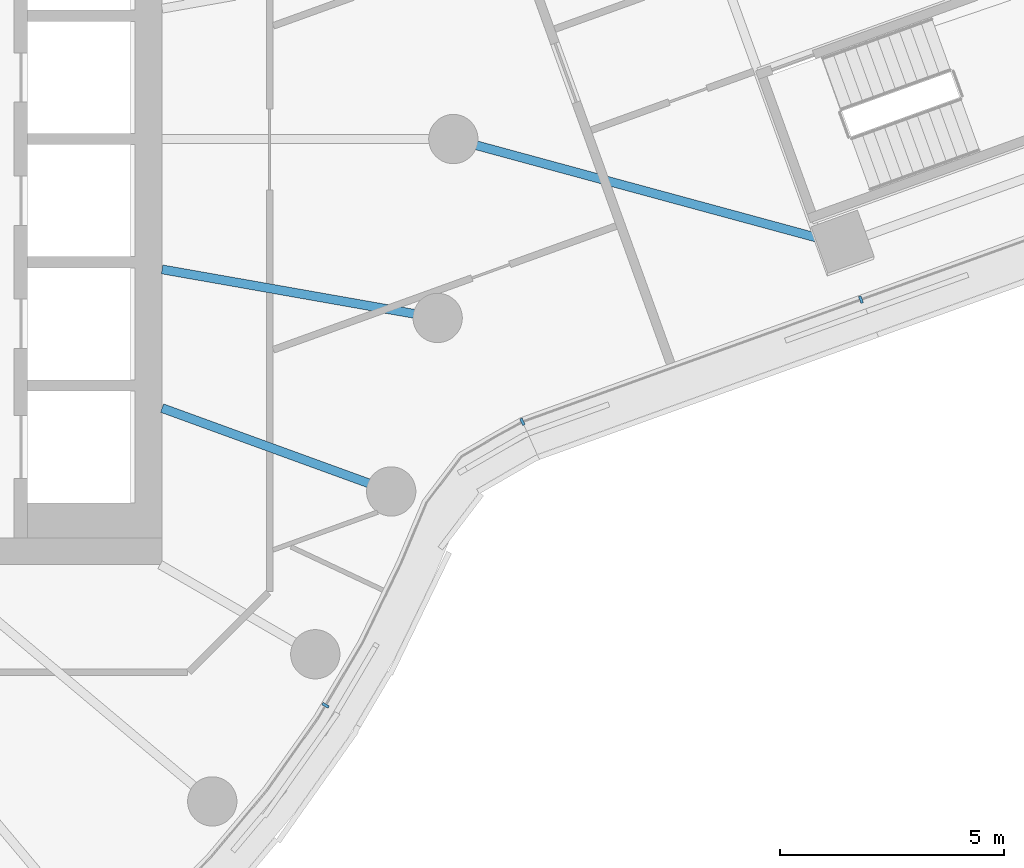
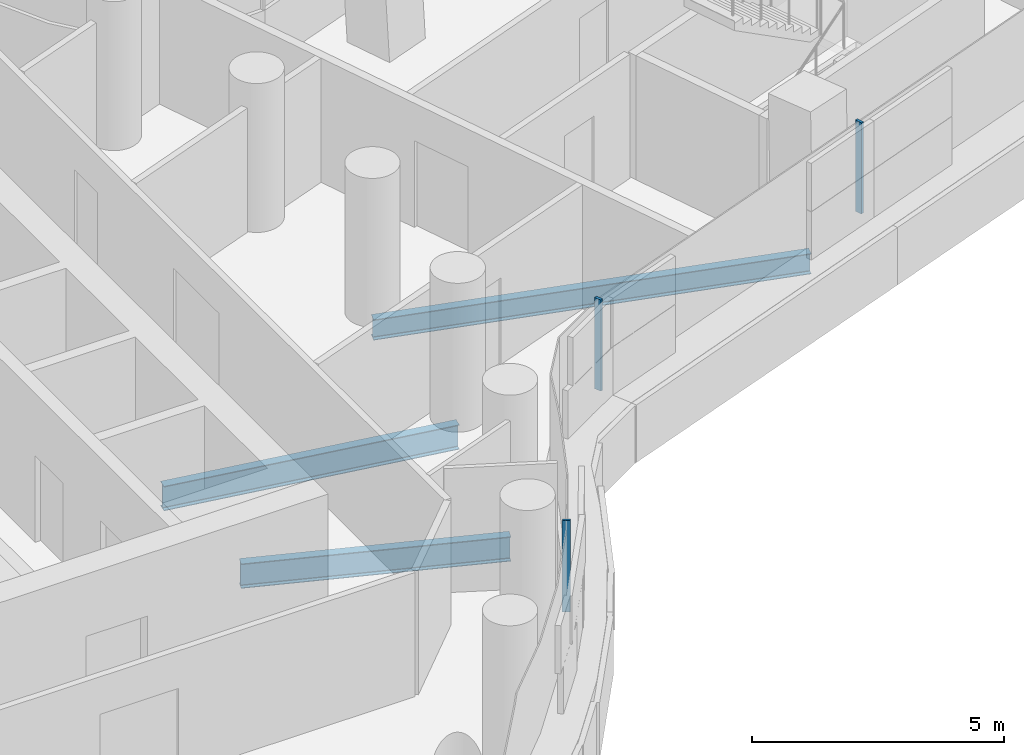
# One storey, part 9 of 30: 3 beams, 3 members, 2 elements without a shape of their own.
"""IFC4 building model written with IfcOpenShell, lengths in metres."""

from ifc_helpers import new_model, si_unit, direction, frame, origin, origin_2d, place, context, subcontext, project, spatial, rectangle, i_section, extrude, material, layer, layer_set, material_profile, profile_set, type_object, element, aggregate, save


model = new_model("IFC4")

# Units and contexts
model_context = context("Model", 3, precision=1e-05, world=origin(), true_north=direction((0.0, 1.0)))
body_context = subcontext(model_context, "Body", "Model", "MODEL_VIEW")
ifc_project = project(units=[si_unit("LENGTHUNIT", "METRE"), si_unit("AREAUNIT", "SQUARE_METRE"), si_unit("VOLUMEUNIT", "CUBIC_METRE"), si_unit("PLANEANGLEUNIT", "RADIAN"), si_unit("MASSUNIT", "GRAM", prefix="KILO")], contexts=[model_context])

# Site, building, storey
site_placement = place(None, origin())
site = spatial("IfcSite", under=ifc_project, at=site_placement, CompositionType="ELEMENT")
building_placement = place(site_placement, origin())
building = spatial("IfcBuilding", under=site, at=building_placement, Name="Tamarind Cross Interchange Tower", CompositionType="ELEMENT")
storey_placement = place(building_placement, frame((0.0, 0.0, 106.0)))
storey = spatial("IfcBuildingStorey", under=building, at=storey_placement, Name="L25", CompositionType="ELEMENT", Elevation=106.0)

# Beams
ifc_material_1 = material(Name="Steel Q355B", Category="steel")
ifc_material_profile_1 = material_profile(ifc_material_1, i_section(OverallWidth=0.198974609375, OverallDepth=0.49609375, WebThickness=0.009033203125, FlangeThickness=0.013916015625, FilletRadius=0.012939453125, at=origin_2d()), Name="HN 496x199x9x14")
ifc_profile_set_1 = profile_set([ifc_material_profile_1], Name="Steel Q355B")
beam_type_1 = type_object("IfcBeamType", Name="Composite beam HN 496x199x9x14 Q355B", PredefinedType="BEAM", material=ifc_profile_set_1)
beam_1_placement = place(storey_placement, frame((31.674560546875, -2.354736328125, -0.387939453125), z_axis=(-0.965075290651, 0.26197267677, 0.0), x_axis=(-0.26197267677, -0.965075290651, 0.0)))
element("IfcBeam", 1, at=beam_1_placement, inside=storey, type_object=beam_type_1, Name="Beam E-linkem", PredefinedType="BEAM", context=body_context, shape_type="SweptSolid", body=[
    extrude(i_section(OverallWidth=0.198974609375, OverallDepth=0.49609375, WebThickness=0.009033203125, FlangeThickness=0.013916015625, FilletRadius=0.012939453125, at=origin_2d()), origin(), (0.0, 0.0, 1.0), 8.988525390625),
])
ifc_material_profile_2 = material_profile(ifc_material_1, i_section(OverallWidth=0.198974609375, OverallDepth=0.595947265625, WebThickness=0.010009765625, FlangeThickness=0.014892578125, FilletRadius=0.012939453125, at=origin_2d()), Name="HN 596x199x10x15")
ifc_profile_set_2 = profile_set([ifc_material_profile_2], Name="Steel Q355B")
beam_type_2 = type_object("IfcBeamType", Name="Composite beam HN 596x199x10x15 Q355B", PredefinedType="BEAM", material=ifc_profile_set_2)
beam_2_placement = place(storey_placement, frame((21.613037109375, -7.866455078125, -0.43798828125), z_axis=(-0.939701685589, 0.341995236956, 0.0), x_axis=(-0.341995236956, -0.939701685589, 0.0)))
element("IfcBeam", 2, at=beam_2_placement, inside=storey, type_object=beam_type_2, Name="Beam HH34", PredefinedType="BEAM", context=body_context, shape_type="SweptSolid", body=[
    extrude(i_section(OverallWidth=0.198974609375, OverallDepth=0.595947265625, WebThickness=0.010009765625, FlangeThickness=0.014892578125, FilletRadius=0.012939453125, at=origin_2d()), origin(), (0.0, 0.0, 1.0), 5.441162109375),
])
beam_3_placement = place(storey_placement, frame((22.650634765625, -3.993896484375, -0.43798828125), z_axis=(-0.984809127561, 0.173640382036, 0.0), x_axis=(-0.173640382036, -0.984809127561, 0.0)))
element("IfcBeam", 3, at=beam_3_placement, inside=storey, type_object=beam_type_2, Name="Beam HH35", PredefinedType="BEAM", context=body_context, shape_type="SweptSolid", body=[
    extrude(i_section(OverallWidth=0.198974609375, OverallDepth=0.595947265625, WebThickness=0.010009765625, FlangeThickness=0.014892578125, FilletRadius=0.012939453125, at=origin_2d()), origin(), (0.0, 0.0, 1.0), 6.24560546875),
])

# Curtain wall, member
ifc_material_2 = material(Name="Aluminium 6063-T6", Category="aluminium")
ifc_layer = layer(ifc_material_2, 0.159912109375)
ifc_layer_set = layer_set([ifc_layer], Name="Aluminium 6063-T6")
curtain_wall_type = type_object("IfcCurtainWallType", Name="Office curtain wall, 9.0 m bays", PredefinedType="NOTDEFINED", material=ifc_layer_set)
curtain_wall_1_placement = place(storey_placement, origin())
curtain_wall_1 = element("IfcCurtainWall", 4, at=curtain_wall_1_placement, inside=storey, type_object=curtain_wall_type, Name="CWS-L25-06", PredefinedType="NOTDEFINED")
ifc_material_profile_3 = material_profile(ifc_material_2, rectangle(XDim=0.06005859375, YDim=0.159912109375, at=origin_2d()), Name="Mullion CW1")
ifc_profile_set_3 = profile_set([ifc_material_profile_3], Name="Aluminium 6063-T6")
member_type = type_object("IfcMemberType", Name="Mullion CW1", PredefinedType="MULLION", material=ifc_profile_set_3)
member_1_placement = place(storey_placement, frame((20.1474609375, -12.64013671875, 1.39990234375), z_axis=(0.0, 0.0, 1.0), x_axis=(0.508183308752, 0.861248933065, 0.0)))
member_1 = element("IfcMember", 5, at=member_1_placement, type_object=member_type, Name="CWM-L25-06-02", PredefinedType="MULLION", context=body_context, shape_type="SweptSolid", body=[
    extrude(rectangle(XDim=0.06005859375, YDim=0.159912109375, at=origin_2d()), origin(), (0.0, 0.0, 1.0), 2.210205078125),
])
aggregate(curtain_wall_1, [member_1])

# Curtain wall, members
curtain_wall_2_placement = place(storey_placement, origin())
curtain_wall_2 = element("IfcCurtainWall", 6, at=curtain_wall_2_placement, inside=storey, type_object=curtain_wall_type, Name="CWS-L25-07", PredefinedType="NOTDEFINED")
member_2_placement = place(storey_placement, frame((24.5419921875, -6.311767578125, 1.39990234375), z_axis=(0.0, 0.0, 1.0), x_axis=(0.910916398944, 0.412590976797, 0.0)))
member_2 = element("IfcMember", 7, at=member_2_placement, type_object=member_type, Name="CWM-L25-07-00", PredefinedType="MULLION", context=body_context, shape_type="SweptSolid", body=[
    extrude(rectangle(XDim=0.06005859375, YDim=0.159912109375, at=origin_2d()), origin(), (0.0, 0.0, 1.0), 2.210205078125),
])
member_3_placement = place(storey_placement, frame((32.097900390625, -3.583984375, 1.39990234375), z_axis=(0.0, 0.0, 1.0), x_axis=(0.94057769422, 0.339578564011, 0.0)))
member_3 = element("IfcMember", 8, at=member_3_placement, type_object=member_type, Name="CWM-L25-07-01", PredefinedType="MULLION", context=body_context, shape_type="SweptSolid", body=[
    extrude(rectangle(XDim=0.06005859375, YDim=0.159912109375, at=origin_2d()), origin(), (0.0, 0.0, 1.0), 2.210205078125),
])
aggregate(curtain_wall_2, [member_2, member_3])

save(model, "model.ifc")
